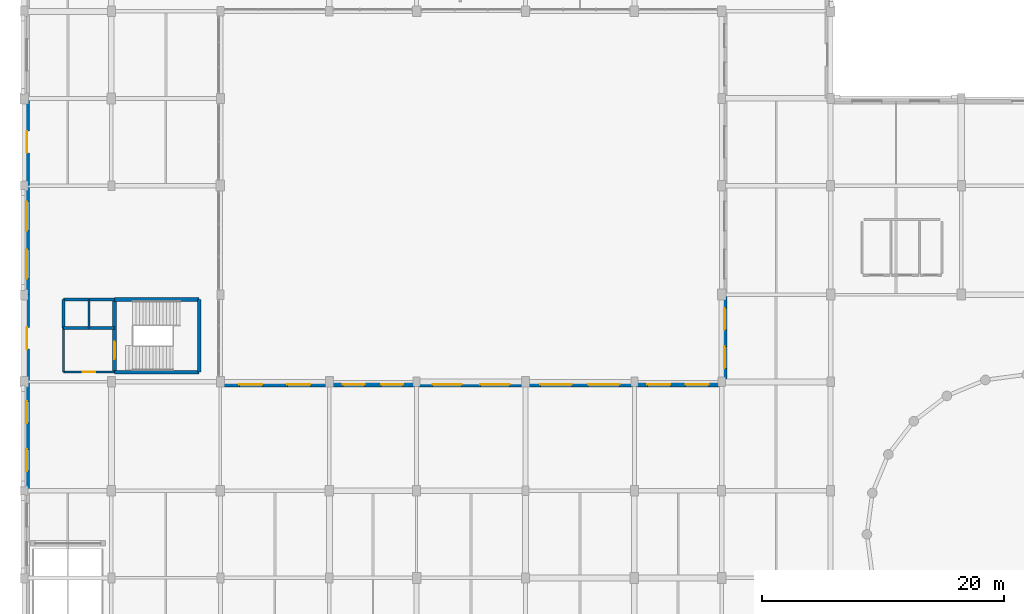
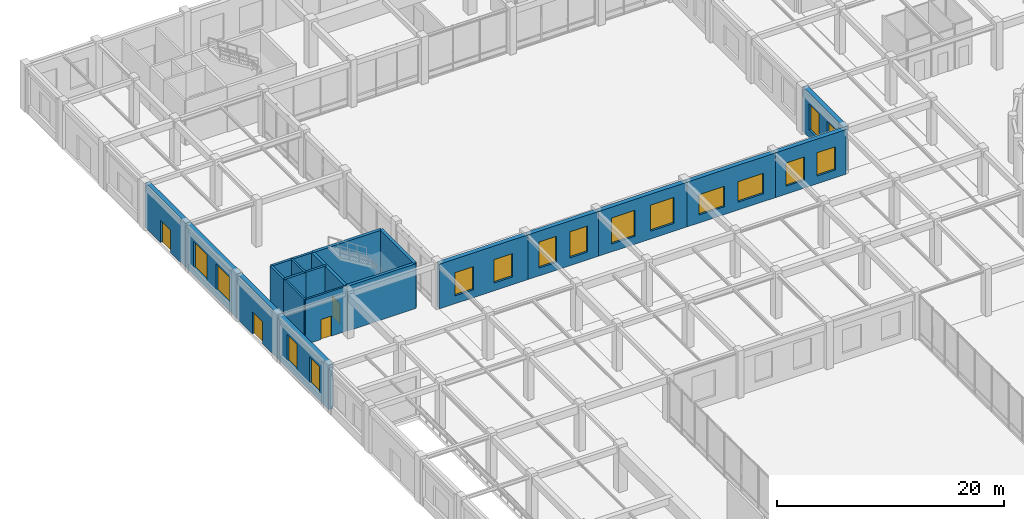
# One storey, part 48 of 64: 21 walls, 16 windows, 4 doors, 20 openings.
"""IFC4 building model written with IfcOpenShell, lengths in metres."""

import ifcopenshell
import ifcopenshell.guid

model = None  # the IFC model being written
_history = None  # IfcOwnerHistory: only IFC2X3 demands one
_inside = {}  # id of a spatial element -> (the spatial element, [elements in it])
_under = {}  # id of a project, library or spatial element -> (it, [spatial elements below it])
_declared = {}  # id of a project -> (the project, [libraries it declares])
_typed = {}  # id of a type object -> (the type object, [elements of that type])
_made_of = {}  # id of a material, layer set ... -> (it, [elements and type objects made of it])


def new_model(schema):
    """Start an empty IFC model of exactly this schema.

    Asked for "IFC4X3", IfcOpenShell would pick the latest addendum, in which some entities
    have other attributes; the version numbers below select the first issue.
    IFC2X3 requires an IfcOwnerHistory on every rooted entity: one is made here for all.
    """
    global model, _history
    if schema == "IFC4X3":
        model = ifcopenshell.file(schema_version=(4, 3, 0, 0))
    else:
        model = ifcopenshell.file(schema=schema)
    _inside.clear()
    _under.clear()
    _declared.clear()
    _typed.clear()
    _made_of.clear()
    _history = None
    if model.schema == "IFC2X3":
        org = make("IfcOrganization", Name="unknown")
        user = make(
            "IfcPersonAndOrganization",
            ThePerson=make("IfcPerson", FamilyName="unknown"),
            TheOrganization=org,
        )
        app = make(
            "IfcApplication",
            ApplicationDeveloper=org,
            Version="unknown",
            ApplicationFullName="unknown",
            ApplicationIdentifier="unknown",
        )
        _history = make(
            "IfcOwnerHistory",
            OwningUser=user,
            OwningApplication=app,
            ChangeAction="ADDED",
            CreationDate=0,
        )
    return model


def make(cls, **values):
    """One entity of the class cls with the attributes given. An attribute that is None is left unset."""
    return model.create_entity(
        cls, **{name: value for name, value in values.items() if value is not None}
    )


def rooted(cls, **values):
    """An entity with a GlobalId (a new one), such as an element, a storey or a relation."""
    return make(cls, GlobalId=ifcopenshell.guid.new(), OwnerHistory=_history, **values)


def si_unit(unit_type, name, prefix=None):
    """IfcSIUnit, for example si_unit("LENGTHUNIT", "METRE", prefix="MILLI")."""
    return make("IfcSIUnit", UnitType=unit_type, Prefix=prefix, Name=name)


def assignment(units):
    """IfcUnitAssignment: the units of a project."""
    return None if units is None else make("IfcUnitAssignment", Units=units)


def point(xyz):
    """IfcCartesianPoint."""
    return None if xyz is None else make("IfcCartesianPoint", Coordinates=xyz)


def direction(xyz):
    """IfcDirection."""
    return None if xyz is None else make("IfcDirection", DirectionRatios=xyz)


def frame(location, z_axis=None, x_axis=None):
    """IfcAxis2Placement3D, a coordinate frame: its origin and axes. An axis left out is left unset."""
    return make(
        "IfcAxis2Placement3D",
        Location=point(location),
        Axis=direction(z_axis),
        RefDirection=direction(x_axis),
    )


def frame_2d(location, x_axis=None):
    """IfcAxis2Placement2D, a coordinate frame in the plane: its origin and x axis."""
    return make(
        "IfcAxis2Placement2D", Location=point(location), RefDirection=direction(x_axis)
    )


def origin():
    """The frame at (0, 0, 0) with its axes left unset."""
    return frame((0.0, 0.0, 0.0))


def place(relative_to, where):
    """IfcLocalPlacement: puts the frame where relative to a parent placement (None: the world)."""
    return make(
        "IfcLocalPlacement", PlacementRelTo=relative_to, RelativePlacement=where
    )


def context(
    kind, dimensions, precision=None, world=None, true_north=None, identifier=None
):
    """IfcGeometricRepresentationContext, for example the 3D "Model" context."""
    return make(
        "IfcGeometricRepresentationContext",
        ContextIdentifier=identifier,
        ContextType=kind,
        CoordinateSpaceDimension=dimensions,
        Precision=precision,
        WorldCoordinateSystem=world,
        TrueNorth=true_north,
    )


def subcontext(parent, identifier, kind, view, scale=None):
    """IfcGeometricRepresentationSubContext, for example "Body" below "Model"."""
    return make(
        "IfcGeometricRepresentationSubContext",
        ContextIdentifier=identifier,
        ContextType=kind,
        ParentContext=parent,
        TargetScale=scale,
        TargetView=view,
    )


def project(units=None, contexts=None):
    """IfcProject with its units and contexts."""
    return rooted(
        "IfcProject",
        Name="project",
        RepresentationContexts=contexts,
        UnitsInContext=assignment(units),
    )


def spatial(cls, under=None, at=None, **own):
    """A site, building, storey or space (cls), placed at a placement, below another one or the project."""
    s = rooted(cls, ObjectPlacement=at, **own)
    if under is not None:
        _under.setdefault(under.id(), (under, []))[1].append(s)
    return s


def profile(cls, at=None, kind="AREA", **sizes):
    """A parametric profile (cls). Its sizes go by their IFC names, for example OverallWidth=200.0."""
    return make(cls, ProfileType=kind, Position=at, **sizes)


def rectangle(**sizes):
    """IfcRectangleProfileDef."""
    return profile("IfcRectangleProfileDef", **sizes)


def extrude(swept, where, along, depth):
    """IfcExtrudedAreaSolid: the profile swept, set in the frame where, extruded along a direction by depth."""
    return make(
        "IfcExtrudedAreaSolid",
        SweptArea=swept,
        Position=where,
        ExtrudedDirection=direction(along),
        Depth=depth,
    )


def shape(context_of_items, identifier, shape_type, items):
    """IfcShapeRepresentation: the items that make up one representation, for example the "Body"."""
    return make(
        "IfcShapeRepresentation",
        ContextOfItems=context_of_items,
        RepresentationIdentifier=identifier,
        RepresentationType=shape_type,
        Items=items,
    )


def material(Name=None, Category=None):
    """IfcMaterial."""
    return make("IfcMaterial", Name=Name, Category=Category)


def layer(
    of_material, thickness, ventilated=None, Name=None, Category=None, Priority=None
):
    """IfcMaterialLayer: one layer of a wall or slab, of a material (None: an air gap)."""
    return make(
        "IfcMaterialLayer",
        Material=of_material,
        LayerThickness=thickness,
        IsVentilated=ventilated,
        Name=Name,
        Category=Category,
        Priority=Priority,
    )


def layer_set(layers, Name=None):
    """IfcMaterialLayerSet."""
    return make("IfcMaterialLayerSet", MaterialLayers=layers, LayerSetName=Name)


def made_of(thing, what):
    """Note that an element or type object is made of a material, layer set ...; save() writes the relation."""
    if what is not None:
        _made_of.setdefault(what.id(), (what, []))[1].append(thing)
    return thing


def type_object(cls, material=None, **own):
    """A type object (cls), such as IfcWallType, which elements share."""
    return made_of(rooted(cls, **own), material)


def element(
    cls,
    number,
    at=None,
    inside=None,
    cuts=None,
    type_object=None,
    material=None,
    context=None,
    identifier="Body",
    shape_type=None,
    held_by="IfcProductDefinitionShape",
    body=None,
    shapes=None,
    **own,
):
    """One element of the class cls, such as IfcWall. Its Tag is "e" and its number.

    at: its placement. inside: the storey or other place that contains it. cuts: it is an
    opening in that element (IfcRelVoidsElement). A single representation is given by context,
    identifier, shape_type and body (its items); several are given by shapes. held_by: the class
    of the entity that holds the representations. save() writes the other relations.
    """
    e = rooted(cls, Tag="e%d" % number, ObjectPlacement=at, **own)
    if body is not None:
        shapes = [shape(context, identifier, shape_type, body)]
    if shapes is not None:
        e.Representation = make(held_by, Representations=shapes)
    if inside is not None:
        _inside.setdefault(inside.id(), (inside, []))[1].append(e)
    if cuts is not None:
        rooted(
            "IfcRelVoidsElement", RelatingBuildingElement=cuts, RelatedOpeningElement=e
        )
    if type_object is not None:
        _typed.setdefault(type_object.id(), (type_object, []))[1].append(e)
    return made_of(e, material)


def fill(opening, filler):
    """IfcRelFillsElement: the door or window that sits in an opening."""
    return rooted(
        "IfcRelFillsElement",
        RelatingOpeningElement=opening,
        RelatedBuildingElement=filler,
    )


def aggregate(whole, parts):
    """IfcRelAggregates: a whole, such as a stair, and the parts it consists of."""
    return rooted("IfcRelAggregates", RelatingObject=whole, RelatedObjects=parts)


def save(model, path):
    """Write the relations noted so far, then the file.

    IfcRelAggregates (storeys below a building ...), IfcRelContainedInSpatialStructure (elements
    in a storey), IfcRelDefinesByType, IfcRelAssociatesMaterial and IfcRelDeclares: one each for
    every whole, place, type object, material and project.
    """
    for whole, parts in _under.values():
        aggregate(whole, parts)
    for where, things in _inside.values():
        rooted(
            "IfcRelContainedInSpatialStructure",
            RelatedElements=things,
            RelatingStructure=where,
        )
    for kind, things in _typed.values():
        rooted("IfcRelDefinesByType", RelatedObjects=things, RelatingType=kind)
    for what, things in _made_of.values():
        rooted("IfcRelAssociatesMaterial", RelatedObjects=things, RelatingMaterial=what)
    for by, libraries in _declared.values():
        rooted("IfcRelDeclares", RelatingContext=by, RelatedDefinitions=libraries)
    model.write(path)


model = new_model("IFC4")

# Units and contexts
model_context = context("Model", 3, precision=1e-05, world=origin(), true_north=direction((0.0, 1.0)))
body_context = subcontext(model_context, "Body", "Model", "MODEL_VIEW")
ifc_project = project(units=[si_unit("LENGTHUNIT", "METRE"), si_unit("AREAUNIT", "SQUARE_METRE"), si_unit("VOLUMEUNIT", "CUBIC_METRE"), si_unit("PLANEANGLEUNIT", "RADIAN"), si_unit("MASSUNIT", "GRAM", prefix="KILO")], contexts=[model_context])

# Site, building, storey
site_placement = place(None, origin())
site = spatial("IfcSite", under=ifc_project, at=site_placement, CompositionType="ELEMENT")
building_placement = place(site_placement, origin())
building = spatial("IfcBuilding", under=site, at=building_placement, Name="Clarverna Civic Hall", CompositionType="ELEMENT")
storey_placement = place(building_placement, origin())
storey = spatial("IfcBuildingStorey", under=building, at=storey_placement, Name="L00", CompositionType="ELEMENT", Elevation=0.0)

# Wall, openings, windows
ifc_material_1 = material(Name="Precast concrete C40/50", Category="concrete")
ifc_layer_1 = layer(ifc_material_1, 0.449951171875)
ifc_layer_set_1 = layer_set([ifc_layer_1], Name="Precast concrete C40/50")
wall_type_1 = type_object("IfcWallType", Name="EW-01", PredefinedType="SOLIDWALL", material=ifc_layer_set_1)
wall_1_placement = place(storey_placement, frame((0.22509765625, 62.60009765625, 0.0), z_axis=(0.0, 0.0, 1.0), x_axis=(0.0, 1.0, 0.0)))
wall_1 = element("IfcWall", 1, at=wall_1_placement, inside=storey, type_object=wall_type_1, Name="EW-01-009", PredefinedType="SOLIDWALL", context=body_context, shape_type="SweptSolid", body=[
    extrude(rectangle(XDim=9.0, YDim=0.449951171875, at=frame_2d((4.5, 0.0))), origin(), (0.0, 0.0, 1.0), 4.820068359375),
])
opening_1_placement = place(wall_1_placement, frame((1.6201171875, 0.0, 0.85009765625)))
opening_1 = element("IfcOpeningElement", 2, at=opening_1_placement, cuts=wall_1, Name="Opening WN-01", PredefinedType="OPENING", context=body_context, shape_type="SweptSolid", body=[
    extrude(rectangle(XDim=1.800048828125, YDim=2.800048828125, at=frame_2d((0.89990234375, 1.39990234375))), frame((0.0, 0.23486328125, 0.0), z_axis=(0.0, -1.0, 0.0), x_axis=(1.0, 0.0, 0.0)), (0.0, 0.0, 1.0), 0.469970703125),
])
opening_2_placement = place(wall_1_placement, frame((5.580078125, 0.0, 0.85009765625)))
opening_2 = element("IfcOpeningElement", 3, at=opening_2_placement, cuts=wall_1, Name="Opening WN-01", PredefinedType="OPENING", context=body_context, shape_type="SweptSolid", body=[
    extrude(rectangle(XDim=1.800048828125, YDim=2.800048828125, at=frame_2d((0.89990234375, 1.39990234375))), frame((0.0, 0.23486328125, 0.0), z_axis=(0.0, -1.0, 0.0), x_axis=(1.0, 0.0, 0.0)), (0.0, 0.0, 1.0), 0.469970703125),
])
ifc_material_2 = material(Name="Solar-Control Argon Low-E Double Glazing", Category="glass")
window_type_1 = type_object("IfcWindowType", Name="WN-01", PartitioningType="DOUBLE_PANEL_VERTICAL", PredefinedType="WINDOW", material=ifc_material_2)
window_1_placement = place(opening_1_placement, origin())
window_1 = element("IfcWindow", 4, at=window_1_placement, inside=storey, type_object=window_type_1, Name="WN-01-003", OverallHeight=2.800048828125, OverallWidth=1.800048828125, PartitioningType="DOUBLE_PANEL_VERTICAL", PredefinedType="WINDOW", context=body_context, shape_type="SweptSolid", body=[
    extrude(rectangle(XDim=1.800048828125, YDim=2.800048828125, at=frame_2d((0.89990234375, 1.39990234375))), frame((0.0, 0.030029296875, 0.0), z_axis=(0.0, -1.0, 0.0), x_axis=(1.0, 0.0, 0.0)), (0.0, 0.0, 1.0), 0.06005859375),
])
fill(opening_1, window_1)
window_2_placement = place(opening_2_placement, origin())
window_2 = element("IfcWindow", 5, at=window_2_placement, inside=storey, type_object=window_type_1, Name="WN-01-004", OverallHeight=2.800048828125, OverallWidth=1.800048828125, PartitioningType="DOUBLE_PANEL_VERTICAL", PredefinedType="WINDOW", context=body_context, shape_type="SweptSolid", body=[
    extrude(rectangle(XDim=1.800048828125, YDim=2.800048828125, at=frame_2d((0.89990234375, 1.39990234375))), frame((0.0, 0.030029296875, 0.0), z_axis=(0.0, -1.0, 0.0), x_axis=(1.0, 0.0, 0.0)), (0.0, 0.0, 1.0), 0.06005859375),
])
fill(opening_2, window_2)

# Wall, opening, door
wall_2_placement = place(storey_placement, frame((0.22509765625, 71.60009765625, 0.0), z_axis=(0.0, 0.0, 1.0), x_axis=(0.0, 1.0, 0.0)))
wall_2 = element("IfcWall", 6, at=wall_2_placement, inside=storey, type_object=wall_type_1, Name="EW-01-010", PredefinedType="SOLIDWALL", context=body_context, shape_type="SweptSolid", body=[
    extrude(rectangle(XDim=7.199951171875, YDim=0.449951171875, at=frame_2d((3.60009765625, 0.0))), origin(), (0.0, 0.0, 1.0), 4.820068359375),
])
opening_3_placement = place(wall_2_placement, frame((2.699951171875, 0.0, 0.0)))
opening_3 = element("IfcOpeningElement", 7, at=opening_3_placement, cuts=wall_2, Name="Opening ED-02", PredefinedType="OPENING", context=body_context, shape_type="SweptSolid", body=[
    extrude(rectangle(XDim=1.800048828125, YDim=2.39990234375, at=frame_2d((0.89990234375, 1.199951171875))), frame((0.0, 0.23486328125, 0.0), z_axis=(0.0, -1.0, 0.0), x_axis=(1.0, 0.0, 0.0)), (0.0, 0.0, 1.0), 0.469970703125),
])
ifc_material_3 = material(Name="Anodised Bronze Glazed Door")
door_type_1 = type_object("IfcDoorType", Name="ED-02", OperationType="DOUBLE_DOOR_SINGLE_SWING", PredefinedType="DOOR", material=ifc_material_3)
door_1_placement = place(opening_3_placement, origin())
door_1 = element("IfcDoor", 8, at=door_1_placement, inside=storey, type_object=door_type_1, Name="ED-02-004", OperationType="DOUBLE_DOOR_SINGLE_SWING", OverallHeight=2.39990234375, OverallWidth=1.800048828125, PredefinedType="DOOR", context=body_context, shape_type="SweptSolid", body=[
    extrude(rectangle(XDim=1.800048828125, YDim=2.39990234375, at=frame_2d((0.89990234375, 1.199951171875))), frame((0.0, 0.02490234375, 0.0), z_axis=(0.0, -1.0, 0.0), x_axis=(1.0, 0.0, 0.0)), (0.0, 0.0, 1.0), 0.050048828125),
])
fill(opening_3, door_1)

# Wall, openings, windows
wall_3_placement = place(storey_placement, frame((0.22509765625, 78.800048828125, 0.0), z_axis=(0.0, 0.0, 1.0), x_axis=(0.0, 1.0, 0.0)))
wall_3 = element("IfcWall", 9, at=wall_3_placement, inside=storey, type_object=wall_type_1, Name="EW-01-011", PredefinedType="SOLIDWALL", context=body_context, shape_type="SweptSolid", body=[
    extrude(rectangle(XDim=9.0, YDim=0.449951171875, at=frame_2d((4.5, 0.0))), origin(), (0.0, 0.0, 1.0), 4.820068359375),
])
opening_4_placement = place(wall_3_placement, frame((1.320068359375, 0.0, 0.85009765625)))
opening_4 = element("IfcOpeningElement", 10, at=opening_4_placement, cuts=wall_3, Name="Opening WN-02", PredefinedType="OPENING", context=body_context, shape_type="SweptSolid", body=[
    extrude(rectangle(XDim=2.39990234375, YDim=2.800048828125, at=frame_2d((1.199951171875, 1.39990234375))), frame((0.0, 0.23486328125, 0.0), z_axis=(0.0, -1.0, 0.0), x_axis=(1.0, 0.0, 0.0)), (0.0, 0.0, 1.0), 0.469970703125),
])
opening_5_placement = place(wall_3_placement, frame((5.280029296875, 0.0, 0.85009765625)))
opening_5 = element("IfcOpeningElement", 11, at=opening_5_placement, cuts=wall_3, Name="Opening WN-02", PredefinedType="OPENING", context=body_context, shape_type="SweptSolid", body=[
    extrude(rectangle(XDim=2.39990234375, YDim=2.800048828125, at=frame_2d((1.199951171875, 1.39990234375))), frame((0.0, 0.23486328125, 0.0), z_axis=(0.0, -1.0, 0.0), x_axis=(1.0, 0.0, 0.0)), (0.0, 0.0, 1.0), 0.469970703125),
])
window_type_2 = type_object("IfcWindowType", Name="WN-02", PartitioningType="TRIPLE_PANEL_VERTICAL", PredefinedType="WINDOW", material=ifc_material_2)
window_3_placement = place(opening_4_placement, origin())
window_3 = element("IfcWindow", 12, at=window_3_placement, inside=storey, type_object=window_type_2, Name="WN-02-001", OverallHeight=2.800048828125, OverallWidth=2.39990234375, PartitioningType="TRIPLE_PANEL_VERTICAL", PredefinedType="WINDOW", context=body_context, shape_type="SweptSolid", body=[
    extrude(rectangle(XDim=2.39990234375, YDim=2.800048828125, at=frame_2d((1.199951171875, 1.39990234375))), frame((0.0, 0.030029296875, 0.0), z_axis=(0.0, -1.0, 0.0), x_axis=(1.0, 0.0, 0.0)), (0.0, 0.0, 1.0), 0.06005859375),
])
fill(opening_4, window_3)
window_4_placement = place(opening_5_placement, origin())
window_4 = element("IfcWindow", 13, at=window_4_placement, inside=storey, type_object=window_type_2, Name="WN-02-002", OverallHeight=2.800048828125, OverallWidth=2.39990234375, PartitioningType="TRIPLE_PANEL_VERTICAL", PredefinedType="WINDOW", context=body_context, shape_type="SweptSolid", body=[
    extrude(rectangle(XDim=2.39990234375, YDim=2.800048828125, at=frame_2d((1.199951171875, 1.39990234375))), frame((0.0, 0.030029296875, 0.0), z_axis=(0.0, -1.0, 0.0), x_axis=(1.0, 0.0, 0.0)), (0.0, 0.0, 1.0), 0.06005859375),
])
fill(opening_5, window_4)

# Wall, opening, door
wall_4_placement = place(storey_placement, frame((0.22509765625, 87.800048828125, 0.0), z_axis=(0.0, 0.0, 1.0), x_axis=(0.0, 1.0, 0.0)))
wall_4 = element("IfcWall", 14, at=wall_4_placement, inside=storey, type_object=wall_type_1, Name="EW-01-012", PredefinedType="SOLIDWALL", context=body_context, shape_type="SweptSolid", body=[
    extrude(rectangle(XDim=7.199951171875, YDim=0.449951171875, at=frame_2d((3.60009765625, 0.0))), origin(), (0.0, 0.0, 1.0), 4.820068359375),
])
opening_6_placement = place(wall_4_placement, frame((2.699951171875, 0.0, 0.0)))
opening_6 = element("IfcOpeningElement", 15, at=opening_6_placement, cuts=wall_4, Name="Opening ED-02", PredefinedType="OPENING", context=body_context, shape_type="SweptSolid", body=[
    extrude(rectangle(XDim=1.800048828125, YDim=2.39990234375, at=frame_2d((0.89990234375, 1.199951171875))), frame((0.0, 0.23486328125, 0.0), z_axis=(0.0, -1.0, 0.0), x_axis=(1.0, 0.0, 0.0)), (0.0, 0.0, 1.0), 0.469970703125),
])
door_2_placement = place(opening_6_placement, origin())
door_2 = element("IfcDoor", 16, at=door_2_placement, inside=storey, type_object=door_type_1, Name="ED-02-005", OperationType="DOUBLE_DOOR_SINGLE_SWING", OverallHeight=2.39990234375, OverallWidth=1.800048828125, PredefinedType="DOOR", context=body_context, shape_type="SweptSolid", body=[
    extrude(rectangle(XDim=1.800048828125, YDim=2.39990234375, at=frame_2d((0.89990234375, 1.199951171875))), frame((0.0, 0.02490234375, 0.0), z_axis=(0.0, -1.0, 0.0), x_axis=(1.0, 0.0, 0.0)), (0.0, 0.0, 1.0), 0.050048828125),
])
fill(opening_6, door_2)

# Wall, openings, windows
wall_5_placement = place(storey_placement, frame((16.199951171875, 71.375, 0.0), z_axis=(0.0, 0.0, 1.0), x_axis=(1.0, 0.0, 0.0)))
wall_5 = element("IfcWall", 17, at=wall_5_placement, inside=storey, type_object=wall_type_1, Name="EW-01-086", PredefinedType="SOLIDWALL", context=body_context, shape_type="SweptSolid", body=[
    extrude(rectangle(XDim=9.0, YDim=0.449951171875, at=frame_2d((4.5, 0.0))), origin(), (0.0, 0.0, 1.0), 4.820068359375),
])
opening_7_placement = place(wall_5_placement, frame((1.570068359375, 0.0, 0.85009765625)))
opening_7 = element("IfcOpeningElement", 18, at=opening_7_placement, cuts=wall_5, Name="Opening WN-30", PredefinedType="OPENING", context=body_context, shape_type="SweptSolid", body=[
    extrude(rectangle(XDim=1.89990234375, YDim=2.5, at=frame_2d((0.949951171875, 1.25))), frame((0.0, 0.23486328125, 0.0), z_axis=(0.0, -1.0, 0.0), x_axis=(1.0, 0.0, 0.0)), (0.0, 0.0, 1.0), 0.469970703125),
])
opening_8_placement = place(wall_5_placement, frame((5.530029296875, 0.0, 0.85009765625)))
opening_8 = element("IfcOpeningElement", 19, at=opening_8_placement, cuts=wall_5, Name="Opening WN-30", PredefinedType="OPENING", context=body_context, shape_type="SweptSolid", body=[
    extrude(rectangle(XDim=1.89990234375, YDim=2.5, at=frame_2d((0.949951171875, 1.25))), frame((0.0, 0.23486328125, 0.0), z_axis=(0.0, -1.0, 0.0), x_axis=(1.0, 0.0, 0.0)), (0.0, 0.0, 1.0), 0.469970703125),
])
window_type_3 = type_object("IfcWindowType", Name="WN-30", PartitioningType="DOUBLE_PANEL_VERTICAL", PredefinedType="WINDOW", material=ifc_material_2)
window_5_placement = place(opening_7_placement, origin())
window_5 = element("IfcWindow", 20, at=window_5_placement, inside=storey, type_object=window_type_3, Name="WN-30-018", OverallHeight=2.5, OverallWidth=1.89990234375, PartitioningType="DOUBLE_PANEL_VERTICAL", PredefinedType="WINDOW", context=body_context, shape_type="SweptSolid", body=[
    extrude(rectangle(XDim=1.89990234375, YDim=2.5, at=frame_2d((0.949951171875, 1.25))), frame((0.0, 0.030029296875, 0.0), z_axis=(0.0, -1.0, 0.0), x_axis=(1.0, 0.0, 0.0)), (0.0, 0.0, 1.0), 0.06005859375),
])
fill(opening_7, window_5)
window_6_placement = place(opening_8_placement, origin())
window_6 = element("IfcWindow", 21, at=window_6_placement, inside=storey, type_object=window_type_3, Name="WN-30-019", OverallHeight=2.5, OverallWidth=1.89990234375, PartitioningType="DOUBLE_PANEL_VERTICAL", PredefinedType="WINDOW", context=body_context, shape_type="SweptSolid", body=[
    extrude(rectangle(XDim=1.89990234375, YDim=2.5, at=frame_2d((0.949951171875, 1.25))), frame((0.0, 0.030029296875, 0.0), z_axis=(0.0, -1.0, 0.0), x_axis=(1.0, 0.0, 0.0)), (0.0, 0.0, 1.0), 0.06005859375),
])
fill(opening_8, window_6)

wall_6_placement = place(storey_placement, frame((25.199951171875, 71.375, 0.0), z_axis=(0.0, 0.0, 1.0), x_axis=(1.0, 0.0, 0.0)))
wall_6 = element("IfcWall", 22, at=wall_6_placement, inside=storey, type_object=wall_type_1, Name="EW-01-087", PredefinedType="SOLIDWALL", context=body_context, shape_type="SweptSolid", body=[
    extrude(rectangle(XDim=7.199951171875, YDim=0.449951171875, at=frame_2d((3.60009765625, 0.0))), origin(), (0.0, 0.0, 1.0), 4.820068359375),
])
opening_9_placement = place(wall_6_placement, frame((1.115966796875, 0.0, 0.85009765625)))
opening_9 = element("IfcOpeningElement", 23, at=opening_9_placement, cuts=wall_6, Name="Opening WN-01", PredefinedType="OPENING", context=body_context, shape_type="SweptSolid", body=[
    extrude(rectangle(XDim=1.800048828125, YDim=2.800048828125, at=frame_2d((0.89990234375, 1.39990234375))), frame((0.0, 0.23486328125, 0.0), z_axis=(0.0, -1.0, 0.0), x_axis=(1.0, 0.0, 0.0)), (0.0, 0.0, 1.0), 0.469970703125),
])
opening_10_placement = place(wall_6_placement, frame((4.283935546875, 0.0, 0.85009765625)))
opening_10 = element("IfcOpeningElement", 24, at=opening_10_placement, cuts=wall_6, Name="Opening WN-01", PredefinedType="OPENING", context=body_context, shape_type="SweptSolid", body=[
    extrude(rectangle(XDim=1.800048828125, YDim=2.800048828125, at=frame_2d((0.89990234375, 1.39990234375))), frame((0.0, 0.23486328125, 0.0), z_axis=(0.0, -1.0, 0.0), x_axis=(1.0, 0.0, 0.0)), (0.0, 0.0, 1.0), 0.469970703125),
])
window_7_placement = place(opening_9_placement, origin())
window_7 = element("IfcWindow", 25, at=window_7_placement, inside=storey, type_object=window_type_1, Name="WN-01-020", OverallHeight=2.800048828125, OverallWidth=1.800048828125, PartitioningType="DOUBLE_PANEL_VERTICAL", PredefinedType="WINDOW", context=body_context, shape_type="SweptSolid", body=[
    extrude(rectangle(XDim=1.800048828125, YDim=2.800048828125, at=frame_2d((0.89990234375, 1.39990234375))), frame((0.0, 0.030029296875, 0.0), z_axis=(0.0, -1.0, 0.0), x_axis=(1.0, 0.0, 0.0)), (0.0, 0.0, 1.0), 0.06005859375),
])
fill(opening_9, window_7)
window_8_placement = place(opening_10_placement, origin())
window_8 = element("IfcWindow", 26, at=window_8_placement, inside=storey, type_object=window_type_1, Name="WN-01-021", OverallHeight=2.800048828125, OverallWidth=1.800048828125, PartitioningType="DOUBLE_PANEL_VERTICAL", PredefinedType="WINDOW", context=body_context, shape_type="SweptSolid", body=[
    extrude(rectangle(XDim=1.800048828125, YDim=2.800048828125, at=frame_2d((0.89990234375, 1.39990234375))), frame((0.0, 0.030029296875, 0.0), z_axis=(0.0, -1.0, 0.0), x_axis=(1.0, 0.0, 0.0)), (0.0, 0.0, 1.0), 0.06005859375),
])
fill(opening_10, window_8)

wall_7_placement = place(storey_placement, frame((32.39990234375, 71.375, 0.0), z_axis=(0.0, 0.0, 1.0), x_axis=(1.0, 0.0, 0.0)))
wall_7 = element("IfcWall", 27, at=wall_7_placement, inside=storey, type_object=wall_type_1, Name="EW-01-088", PredefinedType="SOLIDWALL", context=body_context, shape_type="SweptSolid", body=[
    extrude(rectangle(XDim=9.0, YDim=0.449951171875, at=frame_2d((4.5, 0.0))), origin(), (0.0, 0.0, 1.0), 4.820068359375),
])
opening_11_placement = place(wall_7_placement, frame((1.320068359375, 0.0, 0.85009765625)))
opening_11 = element("IfcOpeningElement", 28, at=opening_11_placement, cuts=wall_7, Name="Opening WN-02", PredefinedType="OPENING", context=body_context, shape_type="SweptSolid", body=[
    extrude(rectangle(XDim=2.39990234375, YDim=2.800048828125, at=frame_2d((1.199951171875, 1.39990234375))), frame((0.0, 0.23486328125, 0.0), z_axis=(0.0, -1.0, 0.0), x_axis=(1.0, 0.0, 0.0)), (0.0, 0.0, 1.0), 0.469970703125),
])
opening_12_placement = place(wall_7_placement, frame((5.280029296875, 0.0, 0.85009765625)))
opening_12 = element("IfcOpeningElement", 29, at=opening_12_placement, cuts=wall_7, Name="Opening WN-02", PredefinedType="OPENING", context=body_context, shape_type="SweptSolid", body=[
    extrude(rectangle(XDim=2.39990234375, YDim=2.800048828125, at=frame_2d((1.199951171875, 1.39990234375))), frame((0.0, 0.23486328125, 0.0), z_axis=(0.0, -1.0, 0.0), x_axis=(1.0, 0.0, 0.0)), (0.0, 0.0, 1.0), 0.469970703125),
])
window_9_placement = place(opening_11_placement, origin())
window_9 = element("IfcWindow", 30, at=window_9_placement, inside=storey, type_object=window_type_2, Name="WN-02-014", OverallHeight=2.800048828125, OverallWidth=2.39990234375, PartitioningType="TRIPLE_PANEL_VERTICAL", PredefinedType="WINDOW", context=body_context, shape_type="SweptSolid", body=[
    extrude(rectangle(XDim=2.39990234375, YDim=2.800048828125, at=frame_2d((1.199951171875, 1.39990234375))), frame((0.0, 0.030029296875, 0.0), z_axis=(0.0, -1.0, 0.0), x_axis=(1.0, 0.0, 0.0)), (0.0, 0.0, 1.0), 0.06005859375),
])
fill(opening_11, window_9)
window_10_placement = place(opening_12_placement, origin())
window_10 = element("IfcWindow", 31, at=window_10_placement, inside=storey, type_object=window_type_2, Name="WN-02-015", OverallHeight=2.800048828125, OverallWidth=2.39990234375, PartitioningType="TRIPLE_PANEL_VERTICAL", PredefinedType="WINDOW", context=body_context, shape_type="SweptSolid", body=[
    extrude(rectangle(XDim=2.39990234375, YDim=2.800048828125, at=frame_2d((1.199951171875, 1.39990234375))), frame((0.0, 0.030029296875, 0.0), z_axis=(0.0, -1.0, 0.0), x_axis=(1.0, 0.0, 0.0)), (0.0, 0.0, 1.0), 0.06005859375),
])
fill(opening_12, window_10)

wall_8_placement = place(storey_placement, frame((41.39990234375, 71.375, 0.0), z_axis=(0.0, 0.0, 1.0), x_axis=(1.0, 0.0, 0.0)))
wall_8 = element("IfcWall", 32, at=wall_8_placement, inside=storey, type_object=wall_type_1, Name="EW-01-089", PredefinedType="SOLIDWALL", context=body_context, shape_type="SweptSolid", body=[
    extrude(rectangle(XDim=9.0, YDim=0.449951171875, at=frame_2d((4.5, 0.0))), origin(), (0.0, 0.0, 1.0), 4.820068359375),
])
opening_13_placement = place(wall_8_placement, frame((1.219970703125, 0.0, 0.85009765625)))
opening_13 = element("IfcOpeningElement", 33, at=opening_13_placement, cuts=wall_8, Name="Opening WN-18", PredefinedType="OPENING", context=body_context, shape_type="SweptSolid", body=[
    extrude(rectangle(XDim=2.60009765625, YDim=2.199951171875, at=frame_2d((1.300048828125, 1.10009765625))), frame((0.0, 0.23486328125, 0.0), z_axis=(0.0, -1.0, 0.0), x_axis=(1.0, 0.0, 0.0)), (0.0, 0.0, 1.0), 0.469970703125),
])
opening_14_placement = place(wall_8_placement, frame((5.179931640625, 0.0, 0.85009765625)))
opening_14 = element("IfcOpeningElement", 34, at=opening_14_placement, cuts=wall_8, Name="Opening WN-18", PredefinedType="OPENING", context=body_context, shape_type="SweptSolid", body=[
    extrude(rectangle(XDim=2.60009765625, YDim=2.199951171875, at=frame_2d((1.300048828125, 1.10009765625))), frame((0.0, 0.23486328125, 0.0), z_axis=(0.0, -1.0, 0.0), x_axis=(1.0, 0.0, 0.0)), (0.0, 0.0, 1.0), 0.469970703125),
])
window_type_4 = type_object("IfcWindowType", Name="WN-18", PartitioningType="TRIPLE_PANEL_VERTICAL", PredefinedType="WINDOW", material=ifc_material_2)
window_11_placement = place(opening_13_placement, origin())
window_11 = element("IfcWindow", 35, at=window_11_placement, inside=storey, type_object=window_type_4, Name="WN-18-010", OverallHeight=2.199951171875, OverallWidth=2.60009765625, PartitioningType="TRIPLE_PANEL_VERTICAL", PredefinedType="WINDOW", context=body_context, shape_type="SweptSolid", body=[
    extrude(rectangle(XDim=2.60009765625, YDim=2.199951171875, at=frame_2d((1.300048828125, 1.10009765625))), frame((0.0, 0.030029296875, 0.0), z_axis=(0.0, -1.0, 0.0), x_axis=(1.0, 0.0, 0.0)), (0.0, 0.0, 1.0), 0.06005859375),
])
fill(opening_13, window_11)
window_12_placement = place(opening_14_placement, origin())
window_12 = element("IfcWindow", 36, at=window_12_placement, inside=storey, type_object=window_type_4, Name="WN-18-011", OverallHeight=2.199951171875, OverallWidth=2.60009765625, PartitioningType="TRIPLE_PANEL_VERTICAL", PredefinedType="WINDOW", context=body_context, shape_type="SweptSolid", body=[
    extrude(rectangle(XDim=2.60009765625, YDim=2.199951171875, at=frame_2d((1.300048828125, 1.10009765625))), frame((0.0, 0.030029296875, 0.0), z_axis=(0.0, -1.0, 0.0), x_axis=(1.0, 0.0, 0.0)), (0.0, 0.0, 1.0), 0.06005859375),
])
fill(opening_14, window_12)

wall_9_placement = place(storey_placement, frame((50.39990234375, 71.375, 0.0), z_axis=(0.0, 0.0, 1.0), x_axis=(1.0, 0.0, 0.0)))
wall_9 = element("IfcWall", 37, at=wall_9_placement, inside=storey, type_object=wall_type_1, Name="EW-01-090", PredefinedType="SOLIDWALL", context=body_context, shape_type="SweptSolid", body=[
    extrude(rectangle(XDim=7.2001953125, YDim=0.449951171875, at=frame_2d((3.60009765625, 0.0))), origin(), (0.0, 0.0, 1.0), 4.820068359375),
])
opening_15_placement = place(wall_9_placement, frame((1.06591796875, 0.0, 0.85009765625)))
opening_15 = element("IfcOpeningElement", 38, at=opening_15_placement, cuts=wall_9, Name="Opening WN-30", PredefinedType="OPENING", context=body_context, shape_type="SweptSolid", body=[
    extrude(rectangle(XDim=1.89990234375, YDim=2.5, at=frame_2d((0.949951171875, 1.25))), frame((0.0, 0.23486328125, 0.0), z_axis=(0.0, -1.0, 0.0), x_axis=(1.0, 0.0, 0.0)), (0.0, 0.0, 1.0), 0.469970703125),
])
opening_16_placement = place(wall_9_placement, frame((4.23388671875, 0.0, 0.85009765625)))
opening_16 = element("IfcOpeningElement", 39, at=opening_16_placement, cuts=wall_9, Name="Opening WN-30", PredefinedType="OPENING", context=body_context, shape_type="SweptSolid", body=[
    extrude(rectangle(XDim=1.89990234375, YDim=2.5, at=frame_2d((0.949951171875, 1.25))), frame((0.0, 0.23486328125, 0.0), z_axis=(0.0, -1.0, 0.0), x_axis=(1.0, 0.0, 0.0)), (0.0, 0.0, 1.0), 0.469970703125),
])
window_13_placement = place(opening_15_placement, origin())
window_13 = element("IfcWindow", 40, at=window_13_placement, inside=storey, type_object=window_type_3, Name="WN-30-020", OverallHeight=2.5, OverallWidth=1.89990234375, PartitioningType="DOUBLE_PANEL_VERTICAL", PredefinedType="WINDOW", context=body_context, shape_type="SweptSolid", body=[
    extrude(rectangle(XDim=1.89990234375, YDim=2.5, at=frame_2d((0.949951171875, 1.25))), frame((0.0, 0.030029296875, 0.0), z_axis=(0.0, -1.0, 0.0), x_axis=(1.0, 0.0, 0.0)), (0.0, 0.0, 1.0), 0.06005859375),
])
fill(opening_15, window_13)
window_14_placement = place(opening_16_placement, origin())
window_14 = element("IfcWindow", 41, at=window_14_placement, inside=storey, type_object=window_type_3, Name="WN-30-021", OverallHeight=2.5, OverallWidth=1.89990234375, PartitioningType="DOUBLE_PANEL_VERTICAL", PredefinedType="WINDOW", context=body_context, shape_type="SweptSolid", body=[
    extrude(rectangle(XDim=1.89990234375, YDim=2.5, at=frame_2d((0.949951171875, 1.25))), frame((0.0, 0.030029296875, 0.0), z_axis=(0.0, -1.0, 0.0), x_axis=(1.0, 0.0, 0.0)), (0.0, 0.0, 1.0), 0.06005859375),
])
fill(opening_16, window_14)

wall_10_placement = place(storey_placement, frame((57.824951171875, 71.60009765625, 0.0), z_axis=(0.0, 0.0, 1.0), x_axis=(0.0, 1.0, 0.0)))
wall_10 = element("IfcWall", 42, at=wall_10_placement, inside=storey, type_object=wall_type_1, Name="EW-01-091", PredefinedType="SOLIDWALL", context=body_context, shape_type="SweptSolid", body=[
    extrude(rectangle(XDim=7.199951171875, YDim=0.449951171875, at=frame_2d((3.60009765625, 0.0))), origin(), (0.0, 0.0, 1.0), 4.820068359375),
])
opening_17_placement = place(wall_10_placement, frame((1.115966796875, 0.0, 0.85009765625)))
opening_17 = element("IfcOpeningElement", 43, at=opening_17_placement, cuts=wall_10, Name="Opening WN-01", PredefinedType="OPENING", context=body_context, shape_type="SweptSolid", body=[
    extrude(rectangle(XDim=1.800048828125, YDim=2.800048828125, at=frame_2d((0.89990234375, 1.39990234375))), frame((0.0, 0.23486328125, 0.0), z_axis=(0.0, -1.0, 0.0), x_axis=(1.0, 0.0, 0.0)), (0.0, 0.0, 1.0), 0.469970703125),
])
opening_18_placement = place(wall_10_placement, frame((4.283935546875, 0.0, 0.85009765625)))
opening_18 = element("IfcOpeningElement", 44, at=opening_18_placement, cuts=wall_10, Name="Opening WN-01", PredefinedType="OPENING", context=body_context, shape_type="SweptSolid", body=[
    extrude(rectangle(XDim=1.800048828125, YDim=2.800048828125, at=frame_2d((0.89990234375, 1.39990234375))), frame((0.0, 0.23486328125, 0.0), z_axis=(0.0, -1.0, 0.0), x_axis=(1.0, 0.0, 0.0)), (0.0, 0.0, 1.0), 0.469970703125),
])
window_15_placement = place(opening_17_placement, origin())
window_15 = element("IfcWindow", 45, at=window_15_placement, inside=storey, type_object=window_type_1, Name="WN-01-022", OverallHeight=2.800048828125, OverallWidth=1.800048828125, PartitioningType="DOUBLE_PANEL_VERTICAL", PredefinedType="WINDOW", context=body_context, shape_type="SweptSolid", body=[
    extrude(rectangle(XDim=1.800048828125, YDim=2.800048828125, at=frame_2d((0.89990234375, 1.39990234375))), frame((0.0, 0.030029296875, 0.0), z_axis=(0.0, -1.0, 0.0), x_axis=(1.0, 0.0, 0.0)), (0.0, 0.0, 1.0), 0.06005859375),
])
fill(opening_17, window_15)
window_16_placement = place(opening_18_placement, origin())
window_16 = element("IfcWindow", 46, at=window_16_placement, inside=storey, type_object=window_type_1, Name="WN-01-023", OverallHeight=2.800048828125, OverallWidth=1.800048828125, PartitioningType="DOUBLE_PANEL_VERTICAL", PredefinedType="WINDOW", context=body_context, shape_type="SweptSolid", body=[
    extrude(rectangle(XDim=1.800048828125, YDim=2.800048828125, at=frame_2d((0.89990234375, 1.39990234375))), frame((0.0, 0.030029296875, 0.0), z_axis=(0.0, -1.0, 0.0), x_axis=(1.0, 0.0, 0.0)), (0.0, 0.0, 1.0), 0.06005859375),
])
fill(opening_18, window_16)

# Wall
ifc_material_4 = material(Name="Acoustic Gypsum Plasterboard on Twin Frame", Category="gypsum")
ifc_layer_2 = layer(ifc_material_4, 0.18994140625)
ifc_layer_set_2 = layer_set([ifc_layer_2], Name="Acoustic Gypsum Plasterboard on Twin Frame")
wall_type_2 = type_object("IfcWallType", Name="PW-06", PredefinedType="PARTITIONING", material=ifc_layer_set_2)
wall_11_placement = place(storey_placement, frame((3.25, 72.39990234375, 0.0), z_axis=(0.0, 0.0, 1.0), x_axis=(0.0, 1.0, 0.0)))
element("IfcWall", 47, at=wall_11_placement, inside=storey, type_object=wall_type_2, Name="PW-06-117", PredefinedType="PARTITIONING", context=body_context, shape_type="SweptSolid", body=[
    extrude(rectangle(XDim=3.650146484375, YDim=0.18994140625, at=frame_2d((1.8251953125, 0.0))), origin(), (0.0, 0.0, 1.0), 4.820068359375),
])

# Wall, opening, door
wall_12_placement = place(storey_placement, frame((3.25, 72.39990234375, 0.0), z_axis=(0.0, 0.0, 1.0), x_axis=(1.0, 0.0, 0.0)))
wall_12 = element("IfcWall", 48, at=wall_12_placement, inside=storey, type_object=wall_type_2, Name="PW-06-118", PredefinedType="PARTITIONING", context=body_context, shape_type="SweptSolid", body=[
    extrude(rectangle(XDim=4.199951171875, YDim=0.18994140625, at=frame_2d((2.10009765625, 0.0))), origin(), (0.0, 0.0, 1.0), 4.820068359375),
])
opening_19_placement = place(wall_12_placement, frame((1.574951171875, 0.0, 0.0)))
opening_19 = element("IfcOpeningElement", 49, at=opening_19_placement, cuts=wall_12, Name="Opening FD-02", PredefinedType="OPENING", context=body_context, shape_type="SweptSolid", body=[
    extrude(rectangle(XDim=1.050048828125, YDim=2.14990234375, at=frame_2d((0.52490234375, 1.074951171875))), frame((0.0, 0.10498046875, 0.0), z_axis=(0.0, -1.0, 0.0), x_axis=(1.0, 0.0, 0.0)), (0.0, 0.0, 1.0), 0.2099609375),
])
ifc_material_5 = material(Name="Acoustic Timber-Faced Fire Door", Category="wood")
door_type_2 = type_object("IfcDoorType", Name="FD-02", OperationType="NOTDEFINED", PredefinedType="DOOR", material=ifc_material_5)
door_3_placement = place(opening_19_placement, origin())
door_3 = element("IfcDoor", 50, at=door_3_placement, inside=storey, type_object=door_type_2, Name="FD-02-108", OperationType="SINGLE_SWING_RIGHT", OverallHeight=2.14990234375, OverallWidth=1.050048828125, PredefinedType="DOOR", context=body_context, shape_type="SweptSolid", body=[
    extrude(rectangle(XDim=1.050048828125, YDim=2.14990234375, at=frame_2d((0.52490234375, 1.074951171875))), frame((0.0, 0.02490234375, 0.0), z_axis=(0.0, -1.0, 0.0), x_axis=(1.0, 0.0, 0.0)), (0.0, 0.0, 1.0), 0.050048828125),
])
fill(opening_19, door_3)

ifc_material_6 = material(Name="Concrete C35/45", Category="concrete")
ifc_layer_3 = layer(ifc_material_6, 0.300048828125)
ifc_layer_set_3 = layer_set([ifc_layer_3], Name="Concrete C35/45")
wall_type_3 = type_object("IfcWallType", Name="SW-03", PredefinedType="SHEAR", material=ifc_layer_set_3)
wall_13_placement = place(storey_placement, frame((7.449951171875, 72.39990234375, 0.0), z_axis=(0.0, 0.0, 1.0), x_axis=(0.0, 1.0, 0.0)))
wall_13 = element("IfcWall", 51, at=wall_13_placement, inside=storey, type_object=wall_type_3, Name="SW-03-271", PredefinedType="SHEAR", context=body_context, shape_type="SweptSolid", body=[
    extrude(rectangle(XDim=6.0, YDim=0.300048828125, at=frame_2d((3.0, 0.0))), origin(), (0.0, 0.0, 1.0), 4.820068359375),
])
opening_20_placement = place(wall_13_placement, frame((1.074951171875, 0.0, 0.0)))
opening_20 = element("IfcOpeningElement", 52, at=opening_20_placement, cuts=wall_13, Name="Opening FD-01", PredefinedType="OPENING", context=body_context, shape_type="SweptSolid", body=[
    extrude(rectangle(XDim=1.449951171875, YDim=2.199951171875, at=frame_2d((0.72509765625, 1.10009765625))), frame((0.0, 0.159912109375, 0.0), z_axis=(0.0, -1.0, 0.0), x_axis=(1.0, 0.0, 0.0)), (0.0, 0.0, 1.0), 0.320068359375),
])
door_type_3 = type_object("IfcDoorType", Name="FD-01", OperationType="DOUBLE_DOOR_SINGLE_SWING", PredefinedType="DOOR", material=ifc_material_5)
door_4_placement = place(opening_20_placement, origin())
door_4 = element("IfcDoor", 53, at=door_4_placement, inside=storey, type_object=door_type_3, Name="FD-01-010", OperationType="DOUBLE_DOOR_SINGLE_SWING", OverallHeight=2.199951171875, OverallWidth=1.449951171875, PredefinedType="DOOR", context=body_context, shape_type="SweptSolid", body=[
    extrude(rectangle(XDim=1.449951171875, YDim=2.199951171875, at=frame_2d((0.72509765625, 1.10009765625))), frame((0.0, 0.02490234375, 0.0), z_axis=(0.0, -1.0, 0.0), x_axis=(1.0, 0.0, 0.0)), (0.0, 0.0, 1.0), 0.050048828125),
])
fill(opening_20, door_4)

# Walls
wall_14_placement = place(storey_placement, frame((14.449951171875, 72.39990234375, 0.0), z_axis=(0.0, 0.0, 1.0), x_axis=(0.0, 1.0, 0.0)))
element("IfcWall", 54, at=wall_14_placement, inside=storey, type_object=wall_type_3, Name="SW-03-272", PredefinedType="SHEAR", context=body_context, shape_type="SweptSolid", body=[
    extrude(rectangle(XDim=6.0, YDim=0.300048828125, at=frame_2d((3.0, 0.0))), origin(), (0.0, 0.0, 1.0), 4.820068359375),
])
for number, where, z_axis, x_axis, name in (
    (55, (7.449951171875, 72.39990234375, 0.0), (0.0, 0.0, 1.0), (1.0, 0.0, 0.0), "SW-03-273"),
    (56, (7.449951171875, 78.39990234375, 0.0), (0.0, 0.0, 1.0), (1.0, 0.0, 0.0), "SW-03-274"),
):
    element("IfcWall", number, at=place(storey_placement, frame(where, z_axis=z_axis, x_axis=x_axis)), inside=storey, type_object=wall_type_3, Name=name, PredefinedType="SHEAR", context=body_context, shape_type="SweptSolid", body=[
        extrude(rectangle(XDim=7.0, YDim=0.300048828125, at=frame_2d((3.5, 0.0))), origin(), (0.0, 0.0, 1.0), 4.820068359375),
    ])
wall_15_placement = place(storey_placement, frame((3.25, 78.39990234375, 0.0), z_axis=(0.0, 0.0, 1.0), x_axis=(1.0, 0.0, 0.0)))
element("IfcWall", 57, at=wall_15_placement, inside=storey, type_object=wall_type_3, Name="SW-03-275", PredefinedType="SHEAR", context=body_context, shape_type="SweptSolid", body=[
    extrude(rectangle(XDim=4.199951171875, YDim=0.239990234375, at=frame_2d((2.10009765625, 0.0))), origin(), (0.0, 0.0, 1.0), 4.820068359375),
])
wall_16_placement = place(storey_placement, frame((3.25, 76.050048828125, 0.0), z_axis=(0.0, 0.0, 1.0), x_axis=(0.0, 1.0, 0.0)))
element("IfcWall", 58, at=wall_16_placement, inside=storey, type_object=wall_type_3, Name="SW-03-276", PredefinedType="SHEAR", context=body_context, shape_type="SweptSolid", body=[
    extrude(rectangle(XDim=2.349853515625, YDim=0.239990234375, at=frame_2d((1.1748046875, 0.0))), origin(), (0.0, 0.0, 1.0), 4.820068359375),
])
wall_17_placement = place(storey_placement, frame((5.35009765625, 76.050048828125, 0.0), z_axis=(0.0, 0.0, 1.0), x_axis=(0.0, 1.0, 0.0)))
element("IfcWall", 59, at=wall_17_placement, inside=storey, type_object=wall_type_3, Name="SW-03-277", PredefinedType="SHEAR", context=body_context, shape_type="SweptSolid", body=[
    extrude(rectangle(XDim=2.349853515625, YDim=0.199951171875, at=frame_2d((1.1748046875, 0.0))), origin(), (0.0, 0.0, 1.0), 4.820068359375),
])
wall_18_placement = place(storey_placement, frame((3.25, 76.050048828125, 0.0), z_axis=(0.0, 0.0, 1.0), x_axis=(1.0, 0.0, 0.0)))
element("IfcWall", 60, at=wall_18_placement, inside=storey, type_object=wall_type_3, Name="SW-03-278", PredefinedType="SHEAR", context=body_context, shape_type="SweptSolid", body=[
    extrude(rectangle(XDim=2.10009765625, YDim=0.239990234375, at=frame_2d((1.050048828125, 0.0))), origin(), (0.0, 0.0, 1.0), 4.820068359375),
])
wall_19_placement = place(storey_placement, frame((5.35009765625, 76.050048828125, 0.0), z_axis=(0.0, 0.0, 1.0), x_axis=(1.0, 0.0, 0.0)))
element("IfcWall", 61, at=wall_19_placement, inside=storey, type_object=wall_type_3, Name="SW-03-279", PredefinedType="SHEAR", context=body_context, shape_type="SweptSolid", body=[
    extrude(rectangle(XDim=2.099853515625, YDim=0.239990234375, at=frame_2d((1.0498046875, 0.0))), origin(), (0.0, 0.0, 1.0), 4.820068359375),
])

save(model, "model.ifc")
